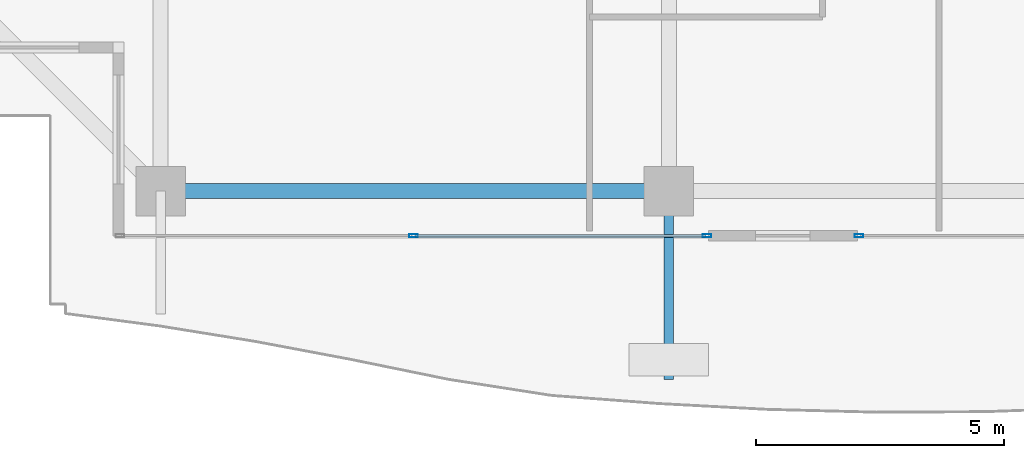
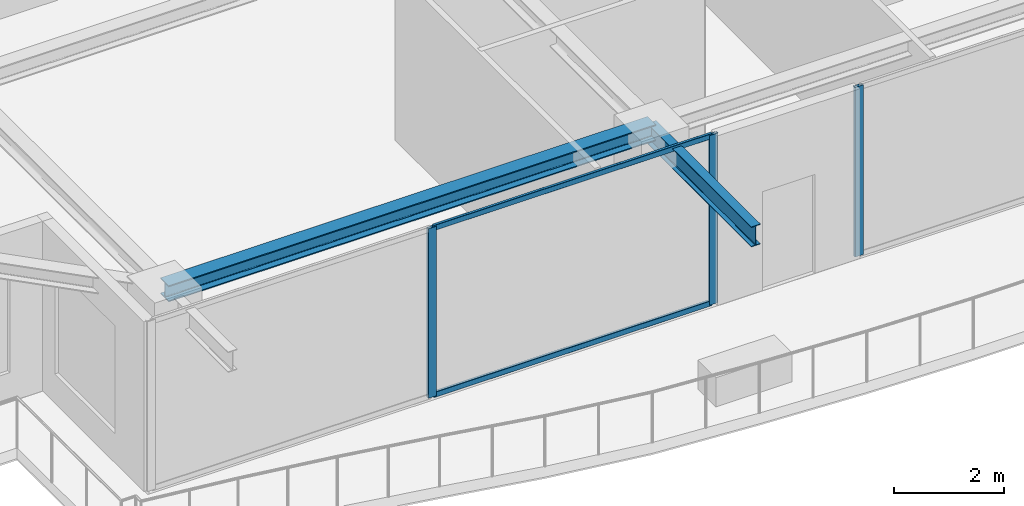
# One storey, part 4 of 37: 5 members, 2 beams, 2 elements without a shape of their own.
"""IFC4 building model written with IfcOpenShell, lengths in metres."""

import ifcopenshell
import ifcopenshell.guid

model = None  # the IFC model being written
_history = None  # IfcOwnerHistory: only IFC2X3 demands one
_inside = {}  # id of a spatial element -> (the spatial element, [elements in it])
_under = {}  # id of a project, library or spatial element -> (it, [spatial elements below it])
_declared = {}  # id of a project -> (the project, [libraries it declares])
_typed = {}  # id of a type object -> (the type object, [elements of that type])
_made_of = {}  # id of a material, layer set ... -> (it, [elements and type objects made of it])


def new_model(schema):
    """Start an empty IFC model of exactly this schema.

    Asked for "IFC4X3", IfcOpenShell would pick the latest addendum, in which some entities
    have other attributes; the version numbers below select the first issue.
    IFC2X3 requires an IfcOwnerHistory on every rooted entity: one is made here for all.
    """
    global model, _history
    if schema == "IFC4X3":
        model = ifcopenshell.file(schema_version=(4, 3, 0, 0))
    else:
        model = ifcopenshell.file(schema=schema)
    _inside.clear()
    _under.clear()
    _declared.clear()
    _typed.clear()
    _made_of.clear()
    _history = None
    if model.schema == "IFC2X3":
        org = make("IfcOrganization", Name="unknown")
        user = make(
            "IfcPersonAndOrganization",
            ThePerson=make("IfcPerson", FamilyName="unknown"),
            TheOrganization=org,
        )
        app = make(
            "IfcApplication",
            ApplicationDeveloper=org,
            Version="unknown",
            ApplicationFullName="unknown",
            ApplicationIdentifier="unknown",
        )
        _history = make(
            "IfcOwnerHistory",
            OwningUser=user,
            OwningApplication=app,
            ChangeAction="ADDED",
            CreationDate=0,
        )
    return model


def make(cls, **values):
    """One entity of the class cls with the attributes given. An attribute that is None is left unset."""
    return model.create_entity(
        cls, **{name: value for name, value in values.items() if value is not None}
    )


def rooted(cls, **values):
    """An entity with a GlobalId (a new one), such as an element, a storey or a relation."""
    return make(cls, GlobalId=ifcopenshell.guid.new(), OwnerHistory=_history, **values)


def si_unit(unit_type, name, prefix=None):
    """IfcSIUnit, for example si_unit("LENGTHUNIT", "METRE", prefix="MILLI")."""
    return make("IfcSIUnit", UnitType=unit_type, Prefix=prefix, Name=name)


def assignment(units):
    """IfcUnitAssignment: the units of a project."""
    return None if units is None else make("IfcUnitAssignment", Units=units)


def point(xyz):
    """IfcCartesianPoint."""
    return None if xyz is None else make("IfcCartesianPoint", Coordinates=xyz)


def direction(xyz):
    """IfcDirection."""
    return None if xyz is None else make("IfcDirection", DirectionRatios=xyz)


def frame(location, z_axis=None, x_axis=None):
    """IfcAxis2Placement3D, a coordinate frame: its origin and axes. An axis left out is left unset."""
    return make(
        "IfcAxis2Placement3D",
        Location=point(location),
        Axis=direction(z_axis),
        RefDirection=direction(x_axis),
    )


def frame_2d(location, x_axis=None):
    """IfcAxis2Placement2D, a coordinate frame in the plane: its origin and x axis."""
    return make(
        "IfcAxis2Placement2D", Location=point(location), RefDirection=direction(x_axis)
    )


def origin():
    """The frame at (0, 0, 0) with its axes left unset."""
    return frame((0.0, 0.0, 0.0))


def origin_2d():
    """The frame at (0, 0) in the plane with its x axis left unset."""
    return frame_2d((0.0, 0.0))


def place(relative_to, where):
    """IfcLocalPlacement: puts the frame where relative to a parent placement (None: the world)."""
    return make(
        "IfcLocalPlacement", PlacementRelTo=relative_to, RelativePlacement=where
    )


def context(
    kind, dimensions, precision=None, world=None, true_north=None, identifier=None
):
    """IfcGeometricRepresentationContext, for example the 3D "Model" context."""
    return make(
        "IfcGeometricRepresentationContext",
        ContextIdentifier=identifier,
        ContextType=kind,
        CoordinateSpaceDimension=dimensions,
        Precision=precision,
        WorldCoordinateSystem=world,
        TrueNorth=true_north,
    )


def subcontext(parent, identifier, kind, view, scale=None):
    """IfcGeometricRepresentationSubContext, for example "Body" below "Model"."""
    return make(
        "IfcGeometricRepresentationSubContext",
        ContextIdentifier=identifier,
        ContextType=kind,
        ParentContext=parent,
        TargetScale=scale,
        TargetView=view,
    )


def project(units=None, contexts=None):
    """IfcProject with its units and contexts."""
    return rooted(
        "IfcProject",
        Name="project",
        RepresentationContexts=contexts,
        UnitsInContext=assignment(units),
    )


def spatial(cls, under=None, at=None, **own):
    """A site, building, storey or space (cls), placed at a placement, below another one or the project."""
    s = rooted(cls, ObjectPlacement=at, **own)
    if under is not None:
        _under.setdefault(under.id(), (under, []))[1].append(s)
    return s


def profile(cls, at=None, kind="AREA", **sizes):
    """A parametric profile (cls). Its sizes go by their IFC names, for example OverallWidth=200.0."""
    return make(cls, ProfileType=kind, Position=at, **sizes)


def hollow_rectangle(**sizes):
    """IfcRectangleHollowProfileDef."""
    return profile("IfcRectangleHollowProfileDef", **sizes)


def i_section(**sizes):
    """IfcIShapeProfileDef."""
    return profile("IfcIShapeProfileDef", **sizes)


def extrude(swept, where, along, depth):
    """IfcExtrudedAreaSolid: the profile swept, set in the frame where, extruded along a direction by depth."""
    return make(
        "IfcExtrudedAreaSolid",
        SweptArea=swept,
        Position=where,
        ExtrudedDirection=direction(along),
        Depth=depth,
    )


def shape(context_of_items, identifier, shape_type, items):
    """IfcShapeRepresentation: the items that make up one representation, for example the "Body"."""
    return make(
        "IfcShapeRepresentation",
        ContextOfItems=context_of_items,
        RepresentationIdentifier=identifier,
        RepresentationType=shape_type,
        Items=items,
    )


def source(mapping_origin, context_of_items, identifier, shape_type, items):
    """IfcRepresentationMap: a shape defined once, which mapped items show again and again."""
    return make(
        "IfcRepresentationMap",
        MappingOrigin=mapping_origin,
        MappedRepresentation=shape(context_of_items, identifier, shape_type, items),
    )


def transform(
    local_origin,
    x_axis=None,
    y_axis=None,
    z_axis=None,
    scale=None,
    scale2=None,
    scale3=None,
    uniform=True,
):
    """IfcCartesianTransformationOperator3D, or its non-uniform kind. x_axis, y_axis, z_axis: its Axis1, 2, 3."""
    if uniform:
        return make(
            "IfcCartesianTransformationOperator3D",
            Axis1=direction(x_axis),
            Axis2=direction(y_axis),
            LocalOrigin=point(local_origin),
            Scale=scale,
            Axis3=direction(z_axis),
        )
    return make(
        "IfcCartesianTransformationOperator3DnonUniform",
        Axis1=direction(x_axis),
        Axis2=direction(y_axis),
        LocalOrigin=point(local_origin),
        Scale=scale,
        Axis3=direction(z_axis),
        Scale2=scale2,
        Scale3=scale3,
    )


def mapped(mapping_source, mapping_target):
    """IfcMappedItem: shows the shape of a source again, moved by a transform."""
    return make(
        "IfcMappedItem", MappingSource=mapping_source, MappingTarget=mapping_target
    )


def material(Name=None, Category=None):
    """IfcMaterial."""
    return make("IfcMaterial", Name=Name, Category=Category)


def layer(
    of_material, thickness, ventilated=None, Name=None, Category=None, Priority=None
):
    """IfcMaterialLayer: one layer of a wall or slab, of a material (None: an air gap)."""
    return make(
        "IfcMaterialLayer",
        Material=of_material,
        LayerThickness=thickness,
        IsVentilated=ventilated,
        Name=Name,
        Category=Category,
        Priority=Priority,
    )


def layer_set(layers, Name=None):
    """IfcMaterialLayerSet."""
    return make("IfcMaterialLayerSet", MaterialLayers=layers, LayerSetName=Name)


def material_profile(
    of_material, cross_section, Name=None, Category=None, Priority=None
):
    """IfcMaterialProfile: a cross section and its material."""
    return make(
        "IfcMaterialProfile",
        Name=Name,
        Material=of_material,
        Profile=cross_section,
        Priority=Priority,
        Category=Category,
    )


def profile_set(profiles, Name=None, composite=None):
    """IfcMaterialProfileSet."""
    return make(
        "IfcMaterialProfileSet",
        Name=Name,
        MaterialProfiles=profiles,
        CompositeProfile=composite,
    )


def made_of(thing, what):
    """Note that an element or type object is made of a material, layer set ...; save() writes the relation."""
    if what is not None:
        _made_of.setdefault(what.id(), (what, []))[1].append(thing)
    return thing


def type_object(cls, material=None, **own):
    """A type object (cls), such as IfcWallType, which elements share."""
    return made_of(rooted(cls, **own), material)


def element(
    cls,
    number,
    at=None,
    inside=None,
    cuts=None,
    type_object=None,
    material=None,
    context=None,
    identifier="Body",
    shape_type=None,
    held_by="IfcProductDefinitionShape",
    body=None,
    shapes=None,
    **own,
):
    """One element of the class cls, such as IfcWall. Its Tag is "e" and its number.

    at: its placement. inside: the storey or other place that contains it. cuts: it is an
    opening in that element (IfcRelVoidsElement). A single representation is given by context,
    identifier, shape_type and body (its items); several are given by shapes. held_by: the class
    of the entity that holds the representations. save() writes the other relations.
    """
    e = rooted(cls, Tag="e%d" % number, ObjectPlacement=at, **own)
    if body is not None:
        shapes = [shape(context, identifier, shape_type, body)]
    if shapes is not None:
        e.Representation = make(held_by, Representations=shapes)
    if inside is not None:
        _inside.setdefault(inside.id(), (inside, []))[1].append(e)
    if cuts is not None:
        rooted(
            "IfcRelVoidsElement", RelatingBuildingElement=cuts, RelatedOpeningElement=e
        )
    if type_object is not None:
        _typed.setdefault(type_object.id(), (type_object, []))[1].append(e)
    return made_of(e, material)


def aggregate(whole, parts):
    """IfcRelAggregates: a whole, such as a stair, and the parts it consists of."""
    return rooted("IfcRelAggregates", RelatingObject=whole, RelatedObjects=parts)


def save(model, path):
    """Write the relations noted so far, then the file.

    IfcRelAggregates (storeys below a building ...), IfcRelContainedInSpatialStructure (elements
    in a storey), IfcRelDefinesByType, IfcRelAssociatesMaterial and IfcRelDeclares: one each for
    every whole, place, type object, material and project.
    """
    for whole, parts in _under.values():
        aggregate(whole, parts)
    for where, things in _inside.values():
        rooted(
            "IfcRelContainedInSpatialStructure",
            RelatedElements=things,
            RelatingStructure=where,
        )
    for kind, things in _typed.values():
        rooted("IfcRelDefinesByType", RelatedObjects=things, RelatingType=kind)
    for what, things in _made_of.values():
        rooted("IfcRelAssociatesMaterial", RelatedObjects=things, RelatingMaterial=what)
    for by, libraries in _declared.values():
        rooted("IfcRelDeclares", RelatingContext=by, RelatedDefinitions=libraries)
    model.write(path)


model = new_model("IFC4")

# Units and contexts
model_context = context("Model", 3, precision=1e-05, world=origin(), true_north=direction((0.0, 1.0)))
body_context = subcontext(model_context, "Body", "Model", "MODEL_VIEW")
ifc_project = project(units=[si_unit("LENGTHUNIT", "METRE"), si_unit("AREAUNIT", "SQUARE_METRE"), si_unit("VOLUMEUNIT", "CUBIC_METRE"), si_unit("PLANEANGLEUNIT", "RADIAN"), si_unit("MASSUNIT", "GRAM", prefix="KILO")], contexts=[model_context])

# Site, building, storey
site_placement = place(None, origin())
site = spatial("IfcSite", under=ifc_project, at=site_placement, CompositionType="ELEMENT")
building_placement = place(site_placement, origin())
building = spatial("IfcBuilding", under=site, at=building_placement, Name="Serunith Strait Residences", CompositionType="ELEMENT")
storey_placement = place(building_placement, frame((0.0, 0.0, 305.60009765625)))
storey = spatial("IfcBuildingStorey", under=building, at=storey_placement, Name="L76", CompositionType="ELEMENT", Elevation=305.60009765625)

# Beams
ifc_material_1 = material(Name="Steel S355J2", Category="steel")
ifc_material_profile_1 = material_profile(ifc_material_1, i_section(OverallWidth=0.300048828125, OverallDepth=0.360107421875, WebThickness=0.012451171875, FlangeThickness=0.0224609375, FilletRadius=0.027099609375, at=origin_2d()), Name="HEB 360")
ifc_profile_set_1 = profile_set([ifc_material_profile_1], Name="Steel S355J2")
beam_type_1 = type_object("IfcBeamType", Name="BM-HEB360", PredefinedType="BEAM", material=ifc_profile_set_1)
shared_shape_1 = source(origin(), body_context, "Body", "SweptSolid", [
    extrude(i_section(OverallWidth=0.300048828125, OverallDepth=0.360107421875, WebThickness=0.012451171875, FlangeThickness=0.0224609375, FilletRadius=0.027099609375, at=origin_2d()), origin(), (0.0, 0.0, 1.0), 10.25),
])
beam_1_placement = place(storey_placement, frame((17.64990234375, 3.300048828125, 3.60693359375), z_axis=(1.0, 0.0, 0.0), x_axis=(0.0, 1.0, 0.0)))
element("IfcBeam", 1, at=beam_1_placement, inside=storey, type_object=beam_type_1, Name="L76 Perimeter Ring Beam 01", PredefinedType="BEAM", context=body_context, shape_type="MappedRepresentation", body=[
    mapped(shared_shape_1, transform((0.0, 0.0, 0.0), scale=1.0)),
])
ifc_material_profile_2 = material_profile(ifc_material_1, i_section(OverallWidth=0.18994140625, OverallDepth=0.449951171875, WebThickness=0.009521484375, FlangeThickness=0.0146484375, FilletRadius=0.02099609375, at=origin_2d()), Name="IPE 450")
ifc_profile_set_2 = profile_set([ifc_material_profile_2], Name="Steel S355J2")
beam_type_2 = type_object("IfcBeamType", Name="BM-IPE450", PredefinedType="JOIST", material=ifc_profile_set_2)
shared_shape_2 = source(origin(), body_context, "Body", "SweptSolid", [
    extrude(i_section(OverallWidth=0.18994140625, OverallDepth=0.449951171875, WebThickness=0.009521484375, FlangeThickness=0.0146484375, FilletRadius=0.02099609375, at=origin_2d()), origin(), (0.0, 0.0, 1.0), 3.800048828125),
])
beam_2_placement = place(storey_placement, frame((27.89990234375, 3.300048828125, 3.531982421875), z_axis=(0.0, -1.0, 0.0), x_axis=(1.0, 0.0, 0.0)))
element("IfcBeam", 2, at=beam_2_placement, inside=storey, type_object=beam_type_2, Name="L77 Cantilevered Balcony Rib TC-S2", PredefinedType="JOIST", context=body_context, shape_type="MappedRepresentation", body=[
    mapped(shared_shape_2, transform((0.0, 0.0, 0.0), scale=1.0)),
])

# Curtain wall, members
ifc_material_2 = material(Name="Brushed Stainless-Silver Aluminium", Category="aluminium")
ifc_layer = layer(ifc_material_2, 0.199951171875, Name="Brushed Stainless-Silver Aluminium")
ifc_layer_set = layer_set([ifc_layer], Name="Brushed Stainless-Silver Aluminium")
curtain_wall_type = type_object("IfcCurtainWallType", Name="CW-SYS5", PredefinedType="NOTDEFINED", material=ifc_layer_set)
curtain_wall_1_placement = place(storey_placement, origin())
curtain_wall_1 = element("IfcCurtainWall", 3, at=curtain_wall_1_placement, inside=storey, type_object=curtain_wall_type, Name="L76 S Unitised Fritted Curtain Wall", PredefinedType="NOTDEFINED")
ifc_material_profile_3 = material_profile(ifc_material_2, hollow_rectangle(XDim=0.06494140625, YDim=0.179931640625, WallThickness=0.00341796875, InnerFilletRadius=0.00537109375, OuterFilletRadius=0.0087890625, at=origin_2d()), Name="ALU 180x65x3.5")
ifc_profile_set_3 = profile_set([ifc_material_profile_3], Name="Brushed Stainless-Silver Aluminium")
member_type_1 = type_object("IfcMemberType", Name="CW-SYS5-MULL", PredefinedType="MULLION", material=ifc_profile_set_3)
shared_shape_3 = source(origin(), body_context, "Body", "SweptSolid", [
    extrude(hollow_rectangle(XDim=0.06494140625, YDim=0.179931640625, WallThickness=0.00341796875, InnerFilletRadius=0.00537109375, OuterFilletRadius=0.0087890625, at=origin_2d()), origin(), (0.0, 0.0, 1.0), 3.77490234375),
])
member_1_placement = place(storey_placement, frame((22.75, 2.39990234375, 0.0), z_axis=(0.0, 0.0, 1.0), x_axis=(0.0, 1.0, 0.0)))
member_1 = element("IfcMember", 4, at=member_1_placement, type_object=member_type_1, Name="CW-5 mullion 2", PredefinedType="MULLION", context=body_context, shape_type="MappedRepresentation", body=[
    mapped(shared_shape_3, transform((0.0, 0.0, 0.0), scale=1.0)),
])
member_2_placement = place(storey_placement, frame((28.66748046875, 2.39990234375, 0.0), z_axis=(0.0, 0.0, 1.0), x_axis=(0.0, 1.0, 0.0)))
member_2 = element("IfcMember", 5, at=member_2_placement, type_object=member_type_1, Name="CW-5 mullion 3", PredefinedType="MULLION", context=body_context, shape_type="MappedRepresentation", body=[
    mapped(shared_shape_3, transform((0.0, 0.0, 0.0), scale=1.0)),
])

# Curtain wall, member
curtain_wall_2_placement = place(storey_placement, origin())
curtain_wall_2 = element("IfcCurtainWall", 6, at=curtain_wall_2_placement, inside=storey, type_object=curtain_wall_type, Name="L76 S Unitised Fritted Curtain Wall", PredefinedType="NOTDEFINED")
member_3_placement = place(storey_placement, frame((31.732421875, 2.39990234375, 0.0), z_axis=(0.0, 0.0, 1.0), x_axis=(0.0, 1.0, 0.0)))
member_3 = element("IfcMember", 7, at=member_3_placement, type_object=member_type_1, Name="CW-5 mullion 1", PredefinedType="MULLION", context=body_context, shape_type="MappedRepresentation", body=[
    mapped(shared_shape_3, transform((0.0, 0.0, 0.0), scale=1.0)),
])
aggregate(curtain_wall_2, [member_3])

# Member
ifc_material_profile_4 = material_profile(ifc_material_2, hollow_rectangle(XDim=0.06005859375, YDim=0.1201171875, WallThickness=0.00341796875, InnerFilletRadius=0.00537109375, OuterFilletRadius=0.0087890625, at=origin_2d()), Name="ALU 120x60x3.5")
ifc_profile_set_4 = profile_set([ifc_material_profile_4], Name="Brushed Stainless-Silver Aluminium")
member_type_2 = type_object("IfcMemberType", Name="CW-SYS5-TRAN", PredefinedType="USERDEFINED", material=ifc_profile_set_4)
shared_shape_4 = source(origin(), body_context, "Body", "SweptSolid", [
    extrude(hollow_rectangle(XDim=0.06005859375, YDim=0.1201171875, WallThickness=0.00341796875, InnerFilletRadius=0.00537109375, OuterFilletRadius=0.0087890625, at=origin_2d()), origin(), (0.0, 0.0, 1.0), 5.8525390625),
])
member_4_placement = place(storey_placement, frame((22.782470703125, 2.39990234375, 0.02978515625), z_axis=(1.0, 0.0, 0.0), x_axis=(0.0, 1.0, 0.0)))
member_4 = element("IfcMember", 8, at=member_4_placement, type_object=member_type_2, Name="CW-5 transom 2.1", ObjectType="TRANSOM", PredefinedType="USERDEFINED", context=body_context, shape_type="MappedRepresentation", body=[
    mapped(shared_shape_4, transform((0.0, 0.0, 0.0), scale=1.0)),
])

member_5_placement = place(storey_placement, frame((22.782470703125, 2.39990234375, 3.744873046875), z_axis=(1.0, 0.0, 0.0), x_axis=(0.0, 1.0, 0.0)))
member_5 = element("IfcMember", 9, at=member_5_placement, type_object=member_type_2, Name="CW-5 transom 2.2", ObjectType="TRANSOM", PredefinedType="USERDEFINED", context=body_context, shape_type="MappedRepresentation", body=[
    mapped(shared_shape_4, transform((0.0, 0.0, 0.0), scale=1.0)),
])

aggregate(curtain_wall_1, [member_1, member_2, member_4, member_5])

save(model, "model.ifc")
